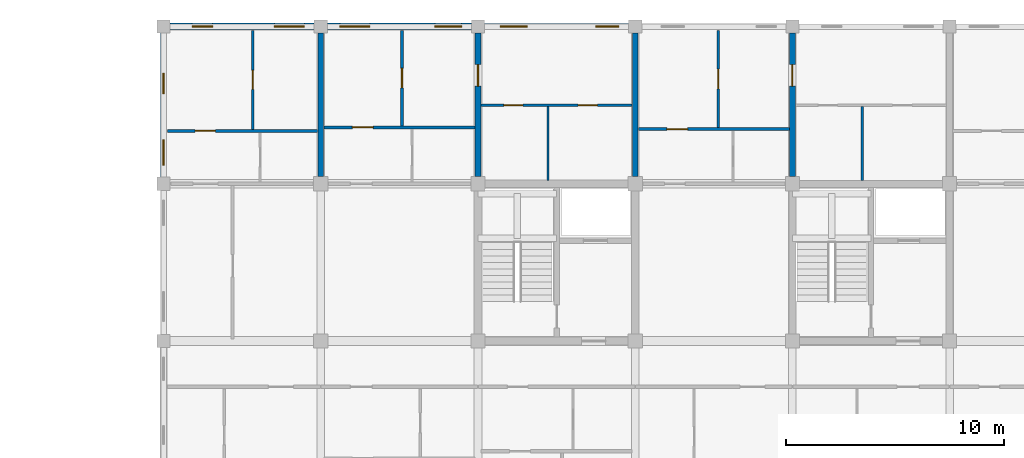
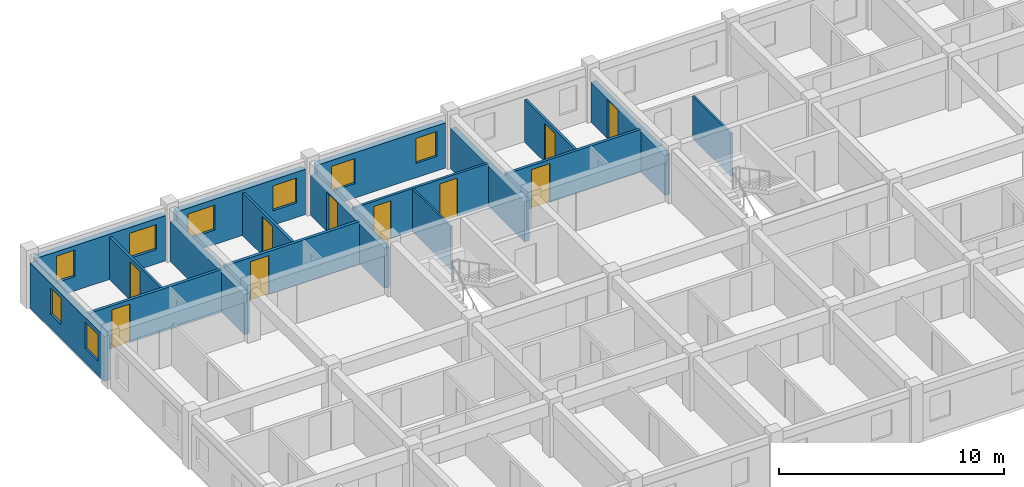
# One storey, part 38 of 50: 17 walls, 10 doors, 8 windows, 18 openings.
"""IFC4 building model written with IfcOpenShell, lengths in metres."""

from ifc_helpers import new_model, si_unit, direction, frame, frame_2d, origin, place, context, subcontext, project, spatial, rectangle, extrude, material, layer, layer_set, type_object, element, fill, save


model = new_model("IFC4")

# Units and contexts
model_context = context("Model", 3, precision=1e-05, world=origin(), true_north=direction((0.0, 1.0)))
body_context = subcontext(model_context, "Body", "Model", "MODEL_VIEW")
ifc_project = project(units=[si_unit("LENGTHUNIT", "METRE"), si_unit("AREAUNIT", "SQUARE_METRE"), si_unit("VOLUMEUNIT", "CUBIC_METRE"), si_unit("PLANEANGLEUNIT", "RADIAN"), si_unit("MASSUNIT", "GRAM", prefix="KILO"), si_unit("THERMODYNAMICTEMPERATUREUNIT", "KELVIN"), si_unit("POWERUNIT", "WATT")], contexts=[model_context])

# Site, building, storey
site_placement = place(None, origin())
site = spatial("IfcSite", under=ifc_project, at=site_placement, CompositionType="ELEMENT")
building_placement = place(site_placement, origin())
building = spatial("IfcBuilding", under=site, at=building_placement, Name="Tavuni Mirador Residences", CompositionType="ELEMENT")
storey_placement = place(building_placement, frame((0.0, 0.0, 4.5)))
storey = spatial("IfcBuildingStorey", under=building, at=storey_placement, Name="L01", CompositionType="ELEMENT", Elevation=4.5)

# Wall, openings, windows
ifc_material_1 = material(Name="Sgraffito lime-rendered precast concrete C40/50", Category="concrete")
ifc_layer_1 = layer(ifc_material_1, 0.27490234375, Name="Sgraffito lime-rendered precast concrete C40/50", Category="concrete")
ifc_layer_set_1 = layer_set([ifc_layer_1], Name="Sgraffito lime-rendered precast concrete C40/50")
wall_type_1 = type_object("IfcWallType", Name="WT-EXT-PC275", PredefinedType="SOLIDWALL", material=ifc_layer_set_1)
wall_1_placement = place(storey_placement, frame((10.800048828125, 172.5, 0.0), z_axis=(0.0, 0.0, 1.0), x_axis=(0.0, -1.0, 0.0)))
wall_1 = element("IfcWall", 1, at=wall_1_placement, inside=storey, type_object=wall_type_1, Name="EW-BLK-C-L01-W03", PredefinedType="SOLIDWALL", context=body_context, shape_type="SweptSolid", body=[
    extrude(rectangle(XDim=6.60009765625, YDim=0.27490234375, at=frame_2d((3.300048828125, 0.0))), origin(), (0.0, 0.0, 1.0), 2.455078125),
])
opening_1_placement = place(wall_1_placement, frame((1.840087890625, 0.0, 0.780029296875)))
opening_1 = element("IfcOpeningElement", 2, at=opening_1_placement, cuts=wall_1, Name="Opening WN-25", PredefinedType="OPENING", context=body_context, shape_type="SweptSolid", body=[
    extrude(rectangle(XDim=0.93994140625, YDim=1.43994140625, at=frame_2d((0.469970703125, 0.719970703125))), frame((0.0, 0.1474609375, 0.0), z_axis=(0.0, -1.0, 0.0), x_axis=(1.0, 0.0, 0.0)), (0.0, 0.0, 1.0), 0.294921875),
])
opening_2_placement = place(wall_1_placement, frame((4.89501953125, 0.0, 0.780029296875)))
opening_2 = element("IfcOpeningElement", 3, at=opening_2_placement, cuts=wall_1, Name="Opening WN-27", PredefinedType="OPENING", context=body_context, shape_type="SweptSolid", body=[
    extrude(rectangle(XDim=1.14990234375, YDim=1.43994140625, at=frame_2d((0.574951171875, 0.719970703125))), frame((0.0, 0.1474609375, 0.0), z_axis=(0.0, -1.0, 0.0), x_axis=(1.0, 0.0, 0.0)), (0.0, 0.0, 1.0), 0.294921875),
])
ifc_material_2 = material(Name="Laminated solar-control glass", Category="glass")
window_type_1 = type_object("IfcWindowType", Name="WNT-25", PartitioningType="SINGLE_PANEL", PredefinedType="WINDOW", material=ifc_material_2)
window_1_placement = place(opening_1_placement, origin())
window_1 = element("IfcWindow", 4, at=window_1_placement, inside=storey, type_object=window_type_1, Name="WIN-0893", OverallHeight=1.43994140625, OverallWidth=0.93994140625, PartitioningType="SINGLE_PANEL", PredefinedType="WINDOW", context=body_context, shape_type="SweptSolid", body=[
    extrude(rectangle(XDim=0.93994140625, YDim=1.43994140625, at=frame_2d((0.469970703125, 0.719970703125))), frame((0.0, 0.030029296875, 0.0), z_axis=(0.0, -1.0, 0.0), x_axis=(1.0, 0.0, 0.0)), (0.0, 0.0, 1.0), 0.06005859375),
])
fill(opening_1, window_1)
window_type_2 = type_object("IfcWindowType", Name="WNT-27", PartitioningType="SINGLE_PANEL", PredefinedType="WINDOW", material=ifc_material_2)
window_2_placement = place(opening_2_placement, origin())
window_2 = element("IfcWindow", 5, at=window_2_placement, inside=storey, type_object=window_type_2, Name="WIN-0894", OverallHeight=1.43994140625, OverallWidth=1.14990234375, PartitioningType="SINGLE_PANEL", PredefinedType="WINDOW", context=body_context, shape_type="SweptSolid", body=[
    extrude(rectangle(XDim=1.14990234375, YDim=1.43994140625, at=frame_2d((0.574951171875, 0.719970703125))), frame((0.0, 0.030029296875, 0.0), z_axis=(0.0, -1.0, 0.0), x_axis=(1.0, 0.0, 0.0)), (0.0, 0.0, 1.0), 0.06005859375),
])
fill(opening_2, window_2)

ifc_layer_2 = layer(ifc_material_1, 0.2900390625, Name="Sgraffito lime-rendered precast concrete C40/50", Category="concrete")
ifc_layer_set_2 = layer_set([ifc_layer_2], Name="Sgraffito lime-rendered precast concrete C40/50")
wall_type_2 = type_object("IfcWallType", Name="WT-EXT-PC290", PredefinedType="SOLIDWALL", material=ifc_layer_set_2)
wall_2_placement = place(storey_placement, frame((32.10009765625, 172.800048828125, 0.0), z_axis=(0.0, 0.0, 1.0), x_axis=(-1.0, 0.0, 0.0)))
wall_2 = element("IfcWall", 6, at=wall_2_placement, inside=storey, type_object=wall_type_2, Name="EW-BLK-C-L01-N02", PredefinedType="SOLIDWALL", context=body_context, shape_type="SweptSolid", body=[
    extrude(rectangle(XDim=6.60009765625, YDim=0.2900390625, at=frame_2d((3.300048828125, 0.0))), origin(), (0.0, 0.0, 1.0), 2.455078125),
])
opening_3_placement = place(wall_2_placement, frame((0.449951171875, 0.0, 0.780029296875)))
opening_3 = element("IfcOpeningElement", 7, at=opening_3_placement, cuts=wall_2, Name="Opening WN-19", PredefinedType="OPENING", context=body_context, shape_type="SweptSolid", body=[
    extrude(rectangle(XDim=1.06005859375, YDim=1.360107421875, at=frame_2d((0.530029296875, 0.68017578125))), frame((0.0, 0.155029296875, 0.0), z_axis=(0.0, -1.0, 0.0), x_axis=(1.0, 0.0, 0.0)), (0.0, 0.0, 1.0), 0.31005859375),
])
opening_4_placement = place(wall_2_placement, frame((4.64990234375, 0.0, 0.780029296875)))
opening_4 = element("IfcOpeningElement", 8, at=opening_4_placement, cuts=wall_2, Name="Opening WN-21", PredefinedType="OPENING", context=body_context, shape_type="SweptSolid", body=[
    extrude(rectangle(XDim=1.219970703125, YDim=1.360107421875, at=frame_2d((0.60986328125, 0.68017578125))), frame((0.0, 0.155029296875, 0.0), z_axis=(0.0, -1.0, 0.0), x_axis=(1.0, 0.0, 0.0)), (0.0, 0.0, 1.0), 0.31005859375),
])
window_type_3 = type_object("IfcWindowType", Name="WNT-19", PartitioningType="SINGLE_PANEL", PredefinedType="WINDOW", material=ifc_material_2)
window_3_placement = place(opening_3_placement, origin())
window_3 = element("IfcWindow", 9, at=window_3_placement, inside=storey, type_object=window_type_3, Name="WIN-0887", OverallHeight=1.360107421875, OverallWidth=1.06005859375, PartitioningType="SINGLE_PANEL", PredefinedType="WINDOW", context=body_context, shape_type="SweptSolid", body=[
    extrude(rectangle(XDim=1.06005859375, YDim=1.360107421875, at=frame_2d((0.530029296875, 0.68017578125))), frame((0.0, 0.030029296875, 0.0), z_axis=(0.0, -1.0, 0.0), x_axis=(1.0, 0.0, 0.0)), (0.0, 0.0, 1.0), 0.06005859375),
])
fill(opening_3, window_3)
window_type_4 = type_object("IfcWindowType", Name="WNT-21", PartitioningType="SINGLE_PANEL", PredefinedType="WINDOW", material=ifc_material_2)
window_4_placement = place(opening_4_placement, origin())
window_4 = element("IfcWindow", 10, at=window_4_placement, inside=storey, type_object=window_type_4, Name="WIN-0888", OverallHeight=1.360107421875, OverallWidth=1.219970703125, PartitioningType="SINGLE_PANEL", PredefinedType="WINDOW", context=body_context, shape_type="SweptSolid", body=[
    extrude(rectangle(XDim=1.219970703125, YDim=1.360107421875, at=frame_2d((0.60986328125, 0.68017578125))), frame((0.0, 0.030029296875, 0.0), z_axis=(0.0, -1.0, 0.0), x_axis=(1.0, 0.0, 0.0)), (0.0, 0.0, 1.0), 0.06005859375),
])
fill(opening_4, window_4)

ifc_layer_3 = layer(ifc_material_1, 0.304931640625, Name="Sgraffito lime-rendered precast concrete C40/50", Category="concrete")
ifc_layer_set_3 = layer_set([ifc_layer_3], Name="Sgraffito lime-rendered precast concrete C40/50")
wall_type_3 = type_object("IfcWallType", Name="WT-EXT-PC305", PredefinedType="SOLIDWALL", material=ifc_layer_set_3)
wall_3_placement = place(storey_placement, frame((24.89990234375, 172.800048828125, 0.0), z_axis=(0.0, 0.0, 1.0), x_axis=(-1.0, 0.0, 0.0)))
wall_3 = element("IfcWall", 11, at=wall_3_placement, inside=storey, type_object=wall_type_3, Name="EW-BLK-C-L01-N01", PredefinedType="SOLIDWALL", context=body_context, shape_type="SweptSolid", body=[
    extrude(rectangle(XDim=6.599853515625, YDim=0.304931640625, at=frame_2d((3.2998046875, 0.0))), origin(), (0.0, 0.0, 1.0), 2.455078125),
])
opening_5_placement = place(wall_3_placement, frame((0.449951171875, 0.0, 0.780029296875)))
opening_5 = element("IfcOpeningElement", 12, at=opening_5_placement, cuts=wall_3, Name="Opening WN-21", PredefinedType="OPENING", context=body_context, shape_type="SweptSolid", body=[
    extrude(rectangle(XDim=1.219970703125, YDim=1.360107421875, at=frame_2d((0.60986328125, 0.68017578125))), frame((0.0, 0.16259765625, 0.0), z_axis=(0.0, -1.0, 0.0), x_axis=(1.0, 0.0, 0.0)), (0.0, 0.0, 1.0), 0.324951171875),
])
opening_6_placement = place(wall_3_placement, frame((4.64990234375, 0.0, 0.780029296875)))
opening_6 = element("IfcOpeningElement", 13, at=opening_6_placement, cuts=wall_3, Name="Opening WN-23", PredefinedType="OPENING", context=body_context, shape_type="SweptSolid", body=[
    extrude(rectangle(XDim=1.3798828125, YDim=1.360107421875, at=frame_2d((0.68994140625, 0.68017578125))), frame((0.0, 0.16259765625, 0.0), z_axis=(0.0, -1.0, 0.0), x_axis=(1.0, 0.0, 0.0)), (0.0, 0.0, 1.0), 0.324951171875),
])
window_5_placement = place(opening_5_placement, origin())
window_5 = element("IfcWindow", 14, at=window_5_placement, inside=storey, type_object=window_type_4, Name="WIN-0889", OverallHeight=1.360107421875, OverallWidth=1.219970703125, PartitioningType="SINGLE_PANEL", PredefinedType="WINDOW", context=body_context, shape_type="SweptSolid", body=[
    extrude(rectangle(XDim=1.219970703125, YDim=1.360107421875, at=frame_2d((0.60986328125, 0.68017578125))), frame((0.0, 0.030029296875, 0.0), z_axis=(0.0, -1.0, 0.0), x_axis=(1.0, 0.0, 0.0)), (0.0, 0.0, 1.0), 0.06005859375),
])
fill(opening_5, window_5)
window_type_5 = type_object("IfcWindowType", Name="WNT-23", PartitioningType="SINGLE_PANEL", PredefinedType="WINDOW", material=ifc_material_2)
window_6_placement = place(opening_6_placement, origin())
window_6 = element("IfcWindow", 15, at=window_6_placement, inside=storey, type_object=window_type_5, Name="WIN-0890", OverallHeight=1.360107421875, OverallWidth=1.3798828125, PartitioningType="SINGLE_PANEL", PredefinedType="WINDOW", context=body_context, shape_type="SweptSolid", body=[
    extrude(rectangle(XDim=1.3798828125, YDim=1.360107421875, at=frame_2d((0.68994140625, 0.68017578125))), frame((0.0, 0.030029296875, 0.0), z_axis=(0.0, -1.0, 0.0), x_axis=(1.0, 0.0, 0.0)), (0.0, 0.0, 1.0), 0.06005859375),
])
fill(opening_6, window_6)

ifc_layer_4 = layer(ifc_material_1, 0.31494140625, Name="Sgraffito lime-rendered precast concrete C40/50", Category="concrete")
ifc_layer_set_4 = layer_set([ifc_layer_4], Name="Sgraffito lime-rendered precast concrete C40/50")
wall_type_4 = type_object("IfcWallType", Name="WT-EXT-PC315", PredefinedType="SOLIDWALL", material=ifc_layer_set_4)
wall_4_placement = place(storey_placement, frame((17.699951171875, 172.800048828125, 0.0), z_axis=(0.0, 0.0, 1.0), x_axis=(-1.0, 0.0, 0.0)))
wall_4 = element("IfcWall", 16, at=wall_4_placement, inside=storey, type_object=wall_type_4, Name="EW-BLK-C-L01-N00", PredefinedType="SOLIDWALL", context=body_context, shape_type="SweptSolid", body=[
    extrude(rectangle(XDim=6.599853515625, YDim=0.31494140625, at=frame_2d((3.2998046875, 0.0))), origin(), (0.0, 0.0, 1.0), 2.455078125),
])
opening_7_placement = place(wall_4_placement, frame((0.449951171875, 0.0, 0.780029296875)))
opening_7 = element("IfcOpeningElement", 17, at=opening_7_placement, cuts=wall_4, Name="Opening WN-23", PredefinedType="OPENING", context=body_context, shape_type="SweptSolid", body=[
    extrude(rectangle(XDim=1.3798828125, YDim=1.360107421875, at=frame_2d((0.68994140625, 0.68017578125))), frame((0.0, 0.16748046875, 0.0), z_axis=(0.0, -1.0, 0.0), x_axis=(1.0, 0.0, 0.0)), (0.0, 0.0, 1.0), 0.3349609375),
])
opening_8_placement = place(wall_4_placement, frame((4.64990234375, 0.0, 0.780029296875)))
opening_8 = element("IfcOpeningElement", 18, at=opening_8_placement, cuts=wall_4, Name="Opening WN-25", PredefinedType="OPENING", context=body_context, shape_type="SweptSolid", body=[
    extrude(rectangle(XDim=0.93994140625, YDim=1.43994140625, at=frame_2d((0.469970703125, 0.719970703125))), frame((0.0, 0.16748046875, 0.0), z_axis=(0.0, -1.0, 0.0), x_axis=(1.0, 0.0, 0.0)), (0.0, 0.0, 1.0), 0.3349609375),
])
window_7_placement = place(opening_7_placement, origin())
window_7 = element("IfcWindow", 19, at=window_7_placement, inside=storey, type_object=window_type_5, Name="WIN-0891", OverallHeight=1.360107421875, OverallWidth=1.3798828125, PartitioningType="SINGLE_PANEL", PredefinedType="WINDOW", context=body_context, shape_type="SweptSolid", body=[
    extrude(rectangle(XDim=1.3798828125, YDim=1.360107421875, at=frame_2d((0.68994140625, 0.68017578125))), frame((0.0, 0.030029296875, 0.0), z_axis=(0.0, -1.0, 0.0), x_axis=(1.0, 0.0, 0.0)), (0.0, 0.0, 1.0), 0.06005859375),
])
fill(opening_7, window_7)
window_8_placement = place(opening_8_placement, origin())
window_8 = element("IfcWindow", 20, at=window_8_placement, inside=storey, type_object=window_type_1, Name="WIN-0892", OverallHeight=1.43994140625, OverallWidth=0.93994140625, PartitioningType="SINGLE_PANEL", PredefinedType="WINDOW", context=body_context, shape_type="SweptSolid", body=[
    extrude(rectangle(XDim=0.93994140625, YDim=1.43994140625, at=frame_2d((0.469970703125, 0.719970703125))), frame((0.0, 0.030029296875, 0.0), z_axis=(0.0, -1.0, 0.0), x_axis=(1.0, 0.0, 0.0)), (0.0, 0.0, 1.0), 0.06005859375),
])
fill(opening_8, window_8)

# Walls
ifc_material_3 = material(Name="Acoustic gypsum and concrete block partition", Category="concrete")
ifc_layer_5 = layer(ifc_material_3, 0.094970703125, Name="Acoustic gypsum and concrete block partition", Category="concrete")
ifc_layer_set_5 = layer_set([ifc_layer_5], Name="Acoustic gypsum and concrete block partition")
wall_type_5 = type_object("IfcWallType", Name="WT-PART095", PredefinedType="PARTITIONING", material=ifc_layer_set_5)
wall_5_placement = place(storey_placement, frame((28.39990234375, 165.739990234375, 0.0), z_axis=(0.0, 0.0, 1.0), x_axis=(0.0, 1.0, 0.0)))
element("IfcWall", 21, at=wall_5_placement, inside=storey, type_object=wall_type_5, Name="PW-BLK-C-L01-NC02-V", PredefinedType="PARTITIONING", context=body_context, shape_type="SweptSolid", body=[
    extrude(rectangle(XDim=3.389892578125, YDim=0.094970703125, at=frame_2d((1.69482421875, 0.0))), origin(), (0.0, 0.0, 1.0), 2.320068359375),
])
ifc_layer_6 = layer(ifc_material_3, 0.10498046875, Name="Acoustic gypsum and concrete block partition", Category="concrete")
ifc_layer_set_6 = layer_set([ifc_layer_6], Name="Acoustic gypsum and concrete block partition")
wall_type_6 = type_object("IfcWallType", Name="WT-PART105", PredefinedType="PARTITIONING", material=ifc_layer_set_6)
wall_6_placement = place(storey_placement, frame((42.800048828125, 165.739990234375, 0.0), z_axis=(0.0, 0.0, 1.0), x_axis=(0.0, 1.0, 0.0)))
element("IfcWall", 22, at=wall_6_placement, inside=storey, type_object=wall_type_6, Name="PW-BLK-C-L01-NC04-V", PredefinedType="PARTITIONING", context=body_context, shape_type="SweptSolid", body=[
    extrude(rectangle(XDim=3.389892578125, YDim=0.10498046875, at=frame_2d((1.69482421875, 0.0))), origin(), (0.0, 0.0, 1.0), 2.320068359375),
])

# Wall, opening, door
ifc_layer_7 = layer(ifc_material_3, 0.114990234375, Name="Acoustic gypsum and concrete block partition", Category="concrete")
ifc_layer_set_7 = layer_set([ifc_layer_7], Name="Acoustic gypsum and concrete block partition")
wall_type_7 = type_object("IfcWallType", Name="WT-PART115", PredefinedType="PARTITIONING", material=ifc_layer_set_7)
wall_7_placement = place(storey_placement, frame((36.199951171875, 168.169921875, 0.0), z_axis=(0.0, 0.0, 1.0), x_axis=(0.0, 1.0, 0.0)))
wall_7 = element("IfcWall", 23, at=wall_7_placement, inside=storey, type_object=wall_type_7, Name="PW-BLK-C-L01-N03-OUT", PredefinedType="PARTITIONING", context=body_context, shape_type="SweptSolid", body=[
    extrude(rectangle(XDim=4.455078125, YDim=0.114990234375, at=frame_2d((2.2275390625, 0.0))), origin(), (0.0, 0.0, 1.0), 2.320068359375),
])
opening_9_placement = place(wall_7_placement, frame((1.777587890625, 0.0, 0.0)))
opening_9 = element("IfcOpeningElement", 24, at=opening_9_placement, cuts=wall_7, Name="Opening D-07", PredefinedType="OPENING", context=body_context, shape_type="SweptSolid", body=[
    extrude(rectangle(XDim=0.89990234375, YDim=2.10009765625, at=frame_2d((0.449951171875, 1.050048828125))), frame((0.0, 0.0673828125, 0.0), z_axis=(0.0, -1.0, 0.0), x_axis=(1.0, 0.0, 0.0)), (0.0, 0.0, 1.0), 0.135009765625),
])
ifc_material_4 = material(Name="Solid core iroko timber", Category="wood")
door_type_1 = type_object("IfcDoorType", Name="DT-BED900", OperationType="NOTDEFINED", PredefinedType="DOOR", material=ifc_material_4)
door_1_placement = place(opening_9_placement, origin())
door_1 = element("IfcDoor", 25, at=door_1_placement, inside=storey, type_object=door_type_1, Name="DR-3705", OperationType="SINGLE_SWING_RIGHT", OverallHeight=2.10009765625, OverallWidth=0.89990234375, PredefinedType="DOOR", context=body_context, shape_type="SweptSolid", body=[
    extrude(rectangle(XDim=0.89990234375, YDim=2.10009765625, at=frame_2d((0.449951171875, 1.050048828125))), frame((0.0, 0.02490234375, 0.0), z_axis=(0.0, -1.0, 0.0), x_axis=(1.0, 0.0, 0.0)), (0.0, 0.0, 1.0), 0.050048828125),
])
fill(opening_9, door_1)

ifc_layer_8 = layer(ifc_material_3, 0.125, Name="Acoustic gypsum and concrete block partition", Category="concrete")
ifc_layer_set_8 = layer_set([ifc_layer_8], Name="Acoustic gypsum and concrete block partition")
wall_type_8 = type_object("IfcWallType", Name="WT-PART125", PredefinedType="PARTITIONING", material=ifc_layer_set_8)
wall_8_placement = place(storey_placement, frame((14.8798828125, 168.090087890625, 0.0), z_axis=(0.0, 0.0, 1.0), x_axis=(0.0, 1.0, 0.0)))
wall_8 = element("IfcWall", 26, at=wall_8_placement, inside=storey, type_object=wall_type_8, Name="PW-BLK-C-L01-N00-OUT", PredefinedType="PARTITIONING", context=body_context, shape_type="SweptSolid", body=[
    extrude(rectangle(XDim=4.534912109375, YDim=0.125, at=frame_2d((2.267578125, 0.0))), origin(), (0.0, 0.0, 1.0), 2.320068359375),
])
opening_10_placement = place(wall_8_placement, frame((1.827392578125, 0.0, 0.0)))
opening_10 = element("IfcOpeningElement", 27, at=opening_10_placement, cuts=wall_8, Name="Opening D-08", PredefinedType="OPENING", context=body_context, shape_type="SweptSolid", body=[
    extrude(rectangle(XDim=0.8798828125, YDim=2.080078125, at=frame_2d((0.43994140625, 1.0400390625))), frame((0.0, 0.072509765625, 0.0), z_axis=(0.0, -1.0, 0.0), x_axis=(1.0, 0.0, 0.0)), (0.0, 0.0, 1.0), 0.14501953125),
])
door_type_2 = type_object("IfcDoorType", Name="DT-BED880", OperationType="NOTDEFINED", PredefinedType="DOOR", material=ifc_material_4)
door_2_placement = place(opening_10_placement, origin())
door_2 = element("IfcDoor", 28, at=door_2_placement, inside=storey, type_object=door_type_2, Name="DR-3688", OperationType="SINGLE_SWING_LEFT", OverallHeight=2.080078125, OverallWidth=0.8798828125, PredefinedType="DOOR", context=body_context, shape_type="SweptSolid", body=[
    extrude(rectangle(XDim=0.8798828125, YDim=2.080078125, at=frame_2d((0.43994140625, 1.0400390625))), frame((0.0, 0.02490234375, 0.0), z_axis=(0.0, -1.0, 0.0), x_axis=(1.0, 0.0, 0.0)), (0.0, 0.0, 1.0), 0.050048828125),
])
fill(opening_10, door_2)

wall_9_placement = place(storey_placement, frame((21.719970703125, 168.25, 0.0), z_axis=(0.0, 0.0, 1.0), x_axis=(0.0, 1.0, 0.0)))
wall_9 = element("IfcWall", 29, at=wall_9_placement, inside=storey, type_object=wall_type_8, Name="PW-BLK-C-L01-N01-OUT", PredefinedType="PARTITIONING", context=body_context, shape_type="SweptSolid", body=[
    extrude(rectangle(XDim=4.375, YDim=0.125, at=frame_2d((2.1875, 0.0))), origin(), (0.0, 0.0, 1.0), 2.320068359375),
])
opening_11_placement = place(wall_9_placement, frame((1.737548828125, 0.0, 0.0)))
opening_11 = element("IfcOpeningElement", 30, at=opening_11_placement, cuts=wall_9, Name="Opening D-07", PredefinedType="OPENING", context=body_context, shape_type="SweptSolid", body=[
    extrude(rectangle(XDim=0.89990234375, YDim=2.10009765625, at=frame_2d((0.449951171875, 1.050048828125))), frame((0.0, 0.072509765625, 0.0), z_axis=(0.0, -1.0, 0.0), x_axis=(1.0, 0.0, 0.0)), (0.0, 0.0, 1.0), 0.14501953125),
])
door_3_placement = place(opening_11_placement, origin())
door_3 = element("IfcDoor", 31, at=door_3_placement, inside=storey, type_object=door_type_1, Name="DR-3694", OperationType="SINGLE_SWING_RIGHT", OverallHeight=2.10009765625, OverallWidth=0.89990234375, PredefinedType="DOOR", context=body_context, shape_type="SweptSolid", body=[
    extrude(rectangle(XDim=0.89990234375, YDim=2.10009765625, at=frame_2d((0.449951171875, 1.050048828125))), frame((0.0, 0.02490234375, 0.0), z_axis=(0.0, -1.0, 0.0), x_axis=(1.0, 0.0, 0.0)), (0.0, 0.0, 1.0), 0.050048828125),
])
fill(opening_11, door_3)

# Wall, openings, doors
wall_10_placement = place(storey_placement, frame((25.340087890625, 169.199951171875, 0.0), z_axis=(0.0, 0.0, 1.0), x_axis=(1.0, 0.0, 0.0)))
wall_10 = element("IfcWall", 32, at=wall_10_placement, inside=storey, type_object=wall_type_8, Name="PW-BLK-C-L01-NC02-M", PredefinedType="PARTITIONING", context=body_context, shape_type="SweptSolid", body=[
    extrude(rectangle(XDim=6.919921875, YDim=0.125, at=frame_2d((3.4599609375, 0.0))), origin(), (0.0, 0.0, 1.0), 2.320068359375),
])
opening_12_placement = place(wall_10_placement, frame((1.050048828125, 0.0, 0.0)))
opening_12 = element("IfcOpeningElement", 33, at=opening_12_placement, cuts=wall_10, Name="Opening D-10", PredefinedType="OPENING", context=body_context, shape_type="SweptSolid", body=[
    extrude(rectangle(XDim=0.8701171875, YDim=2.050048828125, at=frame_2d((0.43505859375, 1.02490234375))), frame((0.0, 0.072509765625, 0.0), z_axis=(0.0, -1.0, 0.0), x_axis=(1.0, 0.0, 0.0)), (0.0, 0.0, 1.0), 0.14501953125),
])
opening_13_placement = place(wall_10_placement, frame((4.449951171875, 0.0, 0.0)))
opening_13 = element("IfcOpeningElement", 34, at=opening_13_placement, cuts=wall_10, Name="Opening D-08", PredefinedType="OPENING", context=body_context, shape_type="SweptSolid", body=[
    extrude(rectangle(XDim=0.8798828125, YDim=2.080078125, at=frame_2d((0.43994140625, 1.0400390625))), frame((0.0, 0.072509765625, 0.0), z_axis=(0.0, -1.0, 0.0), x_axis=(1.0, 0.0, 0.0)), (0.0, 0.0, 1.0), 0.14501953125),
])
door_4_placement = place(opening_13_placement, origin())
door_4 = element("IfcDoor", 35, at=door_4_placement, inside=storey, type_object=door_type_2, Name="DR-3701", OperationType="SINGLE_SWING_RIGHT", OverallHeight=2.080078125, OverallWidth=0.8798828125, PredefinedType="DOOR", context=body_context, shape_type="SweptSolid", body=[
    extrude(rectangle(XDim=0.8798828125, YDim=2.080078125, at=frame_2d((0.43994140625, 1.0400390625))), frame((0.0, 0.02490234375, 0.0), z_axis=(0.0, -1.0, 0.0), x_axis=(1.0, 0.0, 0.0)), (0.0, 0.0, 1.0), 0.050048828125),
])
fill(opening_13, door_4)
door_type_3 = type_object("IfcDoorType", Name="DT-WC870", OperationType="NOTDEFINED", PredefinedType="DOOR", material=ifc_material_4)
door_5_placement = place(opening_12_placement, origin())
door_5 = element("IfcDoor", 36, at=door_5_placement, inside=storey, type_object=door_type_3, Name="DR-3700", OperationType="SINGLE_SWING_LEFT", OverallHeight=2.050048828125, OverallWidth=0.8701171875, PredefinedType="DOOR", context=body_context, shape_type="SweptSolid", body=[
    extrude(rectangle(XDim=0.8701171875, YDim=2.050048828125, at=frame_2d((0.43505859375, 1.02490234375))), frame((0.0, 0.02490234375, 0.0), z_axis=(0.0, -1.0, 0.0), x_axis=(1.0, 0.0, 0.0)), (0.0, 0.0, 1.0), 0.050048828125),
])
fill(opening_12, door_5)

# Wall, opening, door
ifc_layer_9 = layer(ifc_material_3, 0.139892578125, Name="Acoustic gypsum and concrete block partition", Category="concrete")
ifc_layer_set_9 = layer_set([ifc_layer_9], Name="Acoustic gypsum and concrete block partition")
wall_type_9 = type_object("IfcWallType", Name="WT-PART140", PredefinedType="PARTITIONING", material=ifc_layer_set_9)
wall_11_placement = place(storey_placement, frame((32.5400390625, 168.10009765625, 0.0), z_axis=(0.0, 0.0, 1.0), x_axis=(1.0, 0.0, 0.0)))
wall_11 = element("IfcWall", 37, at=wall_11_placement, inside=storey, type_object=wall_type_9, Name="PW-BLK-C-L01-N03-MID", PredefinedType="PARTITIONING", context=body_context, shape_type="SweptSolid", body=[
    extrude(rectangle(XDim=6.919921875, YDim=0.139892578125, at=frame_2d((3.4599609375, 0.0))), origin(), (0.0, 0.0, 1.0), 2.320068359375),
])
opening_14_placement = place(wall_11_placement, frame((1.31005859375, 0.0, 0.0)))
opening_14 = element("IfcOpeningElement", 38, at=opening_14_placement, cuts=wall_11, Name="Opening D-05", PredefinedType="OPENING", context=body_context, shape_type="SweptSolid", body=[
    extrude(rectangle(XDim=0.949951171875, YDim=2.10009765625, at=frame_2d((0.47509765625, 1.050048828125))), frame((0.0, 0.080078125, 0.0), z_axis=(0.0, -1.0, 0.0), x_axis=(1.0, 0.0, 0.0)), (0.0, 0.0, 1.0), 0.159912109375),
])
door_type_4 = type_object("IfcDoorType", Name="DT-INT950", OperationType="NOTDEFINED", PredefinedType="DOOR", material=ifc_material_4)
door_6_placement = place(opening_14_placement, origin())
door_6 = element("IfcDoor", 39, at=door_6_placement, inside=storey, type_object=door_type_4, Name="DR-3707", OperationType="SINGLE_SWING_LEFT", OverallHeight=2.10009765625, OverallWidth=0.949951171875, PredefinedType="DOOR", context=body_context, shape_type="SweptSolid", body=[
    extrude(rectangle(XDim=0.949951171875, YDim=2.10009765625, at=frame_2d((0.47509765625, 1.050048828125))), frame((0.0, 0.02490234375, 0.0), z_axis=(0.0, -1.0, 0.0), x_axis=(1.0, 0.0, 0.0)), (0.0, 0.0, 1.0), 0.050048828125),
])
fill(opening_14, door_6)

ifc_layer_10 = layer(ifc_material_3, 0.14990234375, Name="Acoustic gypsum and concrete block partition", Category="concrete")
ifc_layer_set_10 = layer_set([ifc_layer_10], Name="Acoustic gypsum and concrete block partition")
wall_type_10 = type_object("IfcWallType", Name="WT-PART150", PredefinedType="PARTITIONING", material=ifc_layer_set_10)
wall_12_placement = place(storey_placement, frame((10.97509765625, 168.02001953125, 0.0), z_axis=(0.0, 0.0, 1.0), x_axis=(1.0, 0.0, 0.0)))
wall_12 = element("IfcWall", 40, at=wall_12_placement, inside=storey, type_object=wall_type_10, Name="PW-BLK-C-L01-N00-MID", PredefinedType="PARTITIONING", context=body_context, shape_type="SweptSolid", body=[
    extrude(rectangle(XDim=6.885009765625, YDim=0.14990234375, at=frame_2d((3.4423828125, 0.0))), origin(), (0.0, 0.0, 1.0), 2.320068359375),
])
opening_15_placement = place(wall_12_placement, frame((1.27490234375, 0.0, 0.0)))
opening_15 = element("IfcOpeningElement", 41, at=opening_15_placement, cuts=wall_12, Name="Opening D-06", PredefinedType="OPENING", context=body_context, shape_type="SweptSolid", body=[
    extrude(rectangle(XDim=0.919921875, YDim=2.10009765625, at=frame_2d((0.4599609375, 1.050048828125))), frame((0.0, 0.0849609375, 0.0), z_axis=(0.0, -1.0, 0.0), x_axis=(1.0, 0.0, 0.0)), (0.0, 0.0, 1.0), 0.169921875),
])
door_type_5 = type_object("IfcDoorType", Name="DT-INT920", OperationType="NOTDEFINED", PredefinedType="DOOR", material=ifc_material_4)
door_7_placement = place(opening_15_placement, origin())
door_7 = element("IfcDoor", 42, at=door_7_placement, inside=storey, type_object=door_type_5, Name="DR-3690", OperationType="SINGLE_SWING_RIGHT", OverallHeight=2.10009765625, OverallWidth=0.919921875, PredefinedType="DOOR", context=body_context, shape_type="SweptSolid", body=[
    extrude(rectangle(XDim=0.919921875, YDim=2.10009765625, at=frame_2d((0.4599609375, 1.050048828125))), frame((0.0, 0.02490234375, 0.0), z_axis=(0.0, -1.0, 0.0), x_axis=(1.0, 0.0, 0.0)), (0.0, 0.0, 1.0), 0.050048828125),
])
fill(opening_15, door_7)

wall_13_placement = place(storey_placement, frame((18.139892578125, 168.179931640625, 0.0), z_axis=(0.0, 0.0, 1.0), x_axis=(1.0, 0.0, 0.0)))
wall_13 = element("IfcWall", 43, at=wall_13_placement, inside=storey, type_object=wall_type_10, Name="PW-BLK-C-L01-N01-MID", PredefinedType="PARTITIONING", context=body_context, shape_type="SweptSolid", body=[
    extrude(rectangle(XDim=6.920166015625, YDim=0.14990234375, at=frame_2d((3.4599609375, 0.0))), origin(), (0.0, 0.0, 1.0), 2.320068359375),
])
opening_16_placement = place(wall_13_placement, frame((1.31005859375, 0.0, 0.0)))
opening_16 = element("IfcOpeningElement", 44, at=opening_16_placement, cuts=wall_13, Name="Opening D-05", PredefinedType="OPENING", context=body_context, shape_type="SweptSolid", body=[
    extrude(rectangle(XDim=0.949951171875, YDim=2.10009765625, at=frame_2d((0.47509765625, 1.050048828125))), frame((0.0, 0.0849609375, 0.0), z_axis=(0.0, -1.0, 0.0), x_axis=(1.0, 0.0, 0.0)), (0.0, 0.0, 1.0), 0.169921875),
])
door_8_placement = place(opening_16_placement, origin())
door_8 = element("IfcDoor", 45, at=door_8_placement, inside=storey, type_object=door_type_4, Name="DR-3696", OperationType="SINGLE_SWING_LEFT", OverallHeight=2.10009765625, OverallWidth=0.949951171875, PredefinedType="DOOR", context=body_context, shape_type="SweptSolid", body=[
    extrude(rectangle(XDim=0.949951171875, YDim=2.10009765625, at=frame_2d((0.47509765625, 1.050048828125))), frame((0.0, 0.02490234375, 0.0), z_axis=(0.0, -1.0, 0.0), x_axis=(1.0, 0.0, 0.0)), (0.0, 0.0, 1.0), 0.050048828125),
])
fill(opening_16, door_8)

# Wall
ifc_material_5 = material(Name="Precast concrete C40/50", Category="concrete")
ifc_layer_11 = layer(ifc_material_5, 0.264892578125, Name="Precast concrete C40/50", Category="concrete")
ifc_layer_set_11 = layer_set([ifc_layer_11], Name="Precast concrete C40/50")
wall_type_11 = type_object("IfcWallType", Name="WT-XW265", PredefinedType="SOLIDWALL", material=ifc_layer_set_11)
wall_14_placement = place(storey_placement, frame((18.0, 165.925048828125, 0.0), z_axis=(0.0, 0.0, 1.0), x_axis=(0.0, 1.0, 0.0)))
element("IfcWall", 46, at=wall_14_placement, inside=storey, type_object=wall_type_11, Name="XW-BLK-C-L01-N-01", PredefinedType="SOLIDWALL", context=body_context, shape_type="SweptSolid", body=[
    extrude(rectangle(XDim=6.574951171875, YDim=0.264892578125, at=frame_2d((3.28759765625, 0.0))), origin(), (0.0, 0.0, 1.0), 2.18505859375),
])

# Wall, opening, door
wall_15_placement = place(storey_placement, frame((25.199951171875, 165.925048828125, 0.0), z_axis=(0.0, 0.0, 1.0), x_axis=(0.0, 1.0, 0.0)))
wall_15 = element("IfcWall", 47, at=wall_15_placement, inside=storey, type_object=wall_type_11, Name="XW-BLK-C-L01-N-02", PredefinedType="SOLIDWALL", context=body_context, shape_type="SweptSolid", body=[
    extrude(rectangle(XDim=6.574951171875, YDim=0.264892578125, at=frame_2d((3.28759765625, 0.0))), origin(), (0.0, 0.0, 1.0), 2.18505859375),
])
opening_17_placement = place(wall_15_placement, frame((4.14990234375, 0.0, 0.0)))
opening_17 = element("IfcOpeningElement", 48, at=opening_17_placement, cuts=wall_15, Name="Opening D-04", PredefinedType="OPENING", context=body_context, shape_type="SweptSolid", body=[
    extrude(rectangle(XDim=0.97998046875, YDim=2.1201171875, at=frame_2d((0.489990234375, 1.06005859375))), frame((0.0, 0.142578125, 0.0), z_axis=(0.0, -1.0, 0.0), x_axis=(1.0, 0.0, 0.0)), (0.0, 0.0, 1.0), 0.284912109375),
])
door_type_6 = type_object("IfcDoorType", Name="DT-FD60-980", OperationType="NOTDEFINED", PredefinedType="DOOR", material=ifc_material_4)
door_9_placement = place(opening_17_placement, origin())
door_9 = element("IfcDoor", 49, at=door_9_placement, inside=storey, type_object=door_type_6, Name="DR-4730", OperationType="SINGLE_SWING_LEFT", OverallHeight=2.1201171875, OverallWidth=0.97998046875, PredefinedType="DOOR", context=body_context, shape_type="SweptSolid", body=[
    extrude(rectangle(XDim=0.97998046875, YDim=2.1201171875, at=frame_2d((0.489990234375, 1.06005859375))), frame((0.0, 0.02490234375, 0.0), z_axis=(0.0, -1.0, 0.0), x_axis=(1.0, 0.0, 0.0)), (0.0, 0.0, 1.0), 0.050048828125),
])
fill(opening_17, door_9)

# Wall
wall_16_placement = place(storey_placement, frame((32.39990234375, 165.925048828125, 0.0), z_axis=(0.0, 0.0, 1.0), x_axis=(0.0, 1.0, 0.0)))
element("IfcWall", 50, at=wall_16_placement, inside=storey, type_object=wall_type_11, Name="XW-BLK-C-L01-N-03", PredefinedType="SOLIDWALL", context=body_context, shape_type="SweptSolid", body=[
    extrude(rectangle(XDim=6.574951171875, YDim=0.264892578125, at=frame_2d((3.28759765625, 0.0))), origin(), (0.0, 0.0, 1.0), 2.18505859375),
])

# Wall, opening, door
wall_17_placement = place(storey_placement, frame((39.60009765625, 165.925048828125, 0.0), z_axis=(0.0, 0.0, 1.0), x_axis=(0.0, 1.0, 0.0)))
wall_17 = element("IfcWall", 51, at=wall_17_placement, inside=storey, type_object=wall_type_11, Name="XW-BLK-C-L01-N-04", PredefinedType="SOLIDWALL", context=body_context, shape_type="SweptSolid", body=[
    extrude(rectangle(XDim=6.574951171875, YDim=0.264892578125, at=frame_2d((3.28759765625, 0.0))), origin(), (0.0, 0.0, 1.0), 2.18505859375),
])
opening_18_placement = place(wall_17_placement, frame((4.14990234375, 0.0, 0.0)))
opening_18 = element("IfcOpeningElement", 52, at=opening_18_placement, cuts=wall_17, Name="Opening D-04", PredefinedType="OPENING", context=body_context, shape_type="SweptSolid", body=[
    extrude(rectangle(XDim=0.97998046875, YDim=2.1201171875, at=frame_2d((0.489990234375, 1.06005859375))), frame((0.0, 0.142578125, 0.0), z_axis=(0.0, -1.0, 0.0), x_axis=(1.0, 0.0, 0.0)), (0.0, 0.0, 1.0), 0.284912109375),
])
door_10_placement = place(opening_18_placement, origin())
door_10 = element("IfcDoor", 53, at=door_10_placement, inside=storey, type_object=door_type_6, Name="DR-4731", OperationType="SINGLE_SWING_RIGHT", OverallHeight=2.1201171875, OverallWidth=0.97998046875, PredefinedType="DOOR", context=body_context, shape_type="SweptSolid", body=[
    extrude(rectangle(XDim=0.97998046875, YDim=2.1201171875, at=frame_2d((0.489990234375, 1.06005859375))), frame((0.0, 0.02490234375, 0.0), z_axis=(0.0, -1.0, 0.0), x_axis=(1.0, 0.0, 0.0)), (0.0, 0.0, 1.0), 0.050048828125),
])
fill(opening_18, door_10)

save(model, "model.ifc")
